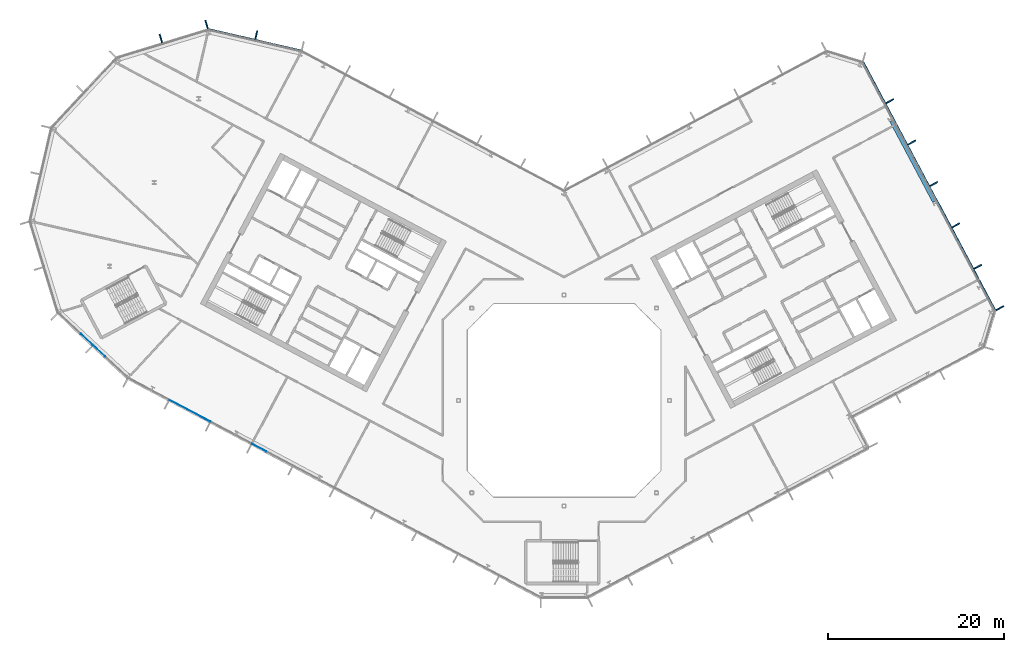
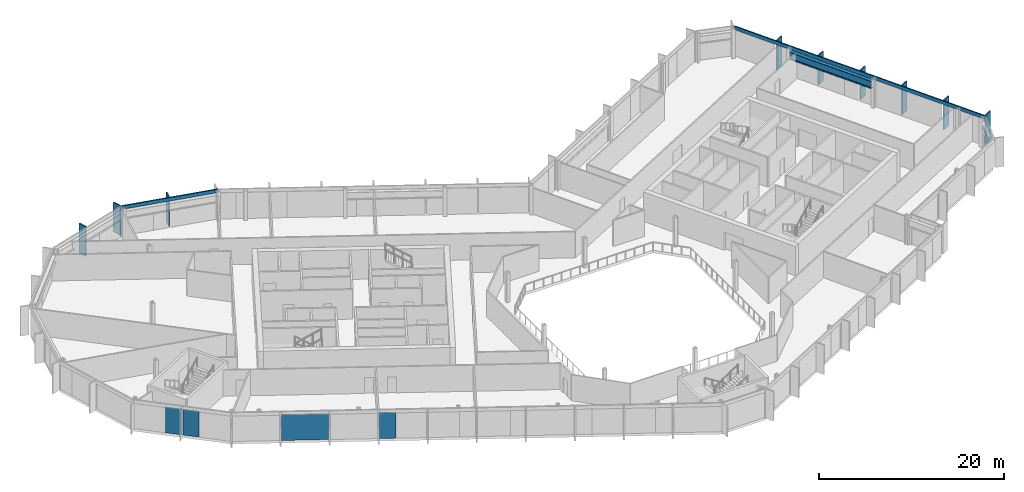
# One storey, part 10 of 26: 11 members, 4 plates, 1 beam, 5 elements without a shape of their own.
"""IFC4 building model written with IfcOpenShell, lengths in metres."""

from ifc_helpers import new_model, si_unit, direction, frame, origin, origin_2d, place, context, subcontext, project, spatial, rectangle, i_section, extrude, material, layer, layer_set, material_profile, profile_set, type_object, element, aggregate, save


model = new_model("IFC4")

# Units and contexts
model_context = context("Model", 3, precision=1e-05, world=origin(), true_north=direction((0.0, 1.0)))
body_context = subcontext(model_context, "Body", "Model", "MODEL_VIEW")
ifc_project = project(units=[si_unit("LENGTHUNIT", "METRE"), si_unit("AREAUNIT", "SQUARE_METRE"), si_unit("VOLUMEUNIT", "CUBIC_METRE"), si_unit("PLANEANGLEUNIT", "RADIAN"), si_unit("MASSUNIT", "GRAM", prefix="KILO")], contexts=[model_context])

# Site, building, storey
site_placement = place(None, origin())
site = spatial("IfcSite", under=ifc_project, at=site_placement, CompositionType="ELEMENT")
building_placement = place(site_placement, origin())
building = spatial("IfcBuilding", under=site, at=building_placement, Name="Cormorant Relay Tower", CompositionType="ELEMENT")
storey_placement = place(building_placement, frame((0.0, 0.0, 248.10009765625)))
storey = spatial("IfcBuildingStorey", under=building, at=storey_placement, Name="L55", CompositionType="ELEMENT", Elevation=248.10009765625)

# Curtain wall, members
ifc_material_1 = material(Name="Aluminium 6063-T6 anodised bronze", Category="aluminium")
ifc_layer_1 = layer(ifc_material_1, 0.199951171875)
ifc_layer_set_1 = layer_set([ifc_layer_1], Name="CW1 unitised bronze curtain wall with vertical fins")
curtain_wall_type = type_object("IfcCurtainWallType", Name="CW1 unitised bronze curtain wall with vertical fins", PredefinedType="NOTDEFINED", material=ifc_layer_set_1)
curtain_wall_1_placement = place(storey_placement, origin())
curtain_wall_1 = element("IfcCurtainWall", 1, at=curtain_wall_1_placement, inside=storey, type_object=curtain_wall_type, Name="CW1 curtain wall 6", PredefinedType="NOTDEFINED")
ifc_material_2 = material(Name="Aluminium 6063-T6 anodised bronze", Category="aluminium")
ifc_material_profile_1 = material_profile(ifc_material_2, rectangle(XDim=0.14990234375, YDim=1.0, at=origin_2d()), Name="AL 150x1000")
ifc_profile_set_1 = profile_set([ifc_material_profile_1], Name="Aluminium 6063-T6 anodised bronze")
member_type_1 = type_object("IfcMemberType", Name="CW1 bronze fin mullion 150 x 1000", PredefinedType="MULLION", material=ifc_profile_set_1)
member_1_placement = place(storey_placement, frame((49.572021484375, 10.501953125, 0.0), z_axis=(0.0, 0.0, 1.0), x_axis=(-0.469471562786, 0.882947592859, 0.0)))
member_1 = element("IfcMember", 2, at=member_1_placement, type_object=member_type_1, Name="CW1 fin 6.1", PredefinedType="MULLION", context=body_context, shape_type="SweptSolid", body=[
    extrude(rectangle(XDim=0.14990234375, YDim=1.0, at=origin_2d()), origin(), (0.0, 0.0, 1.0), 3.89990234375),
])
member_2_placement = place(storey_placement, frame((47.068359375, 15.211181640625, 0.0), z_axis=(0.0, 0.0, 1.0), x_axis=(-0.469471562786, 0.882947592859, 0.0)))
member_2 = element("IfcMember", 3, at=member_2_placement, type_object=member_type_1, Name="CW1 fin 6.2", PredefinedType="MULLION", context=body_context, shape_type="SweptSolid", body=[
    extrude(rectangle(XDim=0.14990234375, YDim=1.0, at=origin_2d()), origin(), (0.0, 0.0, 1.0), 3.89990234375),
])
member_3_placement = place(storey_placement, frame((44.564453125, 19.920166015625, 0.0), z_axis=(0.0, 0.0, 1.0), x_axis=(-0.469471562786, 0.882947592859, 0.0)))
member_3 = element("IfcMember", 4, at=member_3_placement, type_object=member_type_1, Name="CW1 fin 6.3", PredefinedType="MULLION", context=body_context, shape_type="SweptSolid", body=[
    extrude(rectangle(XDim=0.14990234375, YDim=1.0, at=origin_2d()), origin(), (0.0, 0.0, 1.0), 3.89990234375),
])
member_4_placement = place(storey_placement, frame((42.060546875, 24.629150390625, 0.0), z_axis=(0.0, 0.0, 1.0), x_axis=(-0.469471562786, 0.882947592859, 0.0)))
member_4 = element("IfcMember", 5, at=member_4_placement, type_object=member_type_1, Name="CW1 fin 6.4", PredefinedType="MULLION", context=body_context, shape_type="SweptSolid", body=[
    extrude(rectangle(XDim=0.14990234375, YDim=1.0, at=origin_2d()), origin(), (0.0, 0.0, 1.0), 3.89990234375),
])
member_5_placement = place(storey_placement, frame((39.556884765625, 29.338134765625, 0.0), z_axis=(0.0, 0.0, 1.0), x_axis=(-0.469471562786, 0.882947592859, 0.0)))
member_5 = element("IfcMember", 6, at=member_5_placement, type_object=member_type_1, Name="CW1 fin 6.5", PredefinedType="MULLION", context=body_context, shape_type="SweptSolid", body=[
    extrude(rectangle(XDim=0.14990234375, YDim=1.0, at=origin_2d()), origin(), (0.0, 0.0, 1.0), 3.89990234375),
])
member_6_placement = place(storey_placement, frame((37.052978515625, 34.04736328125, 0.0), z_axis=(0.0, 0.0, 1.0), x_axis=(-0.469471562786, 0.882947592859, 0.0)))
member_6 = element("IfcMember", 7, at=member_6_placement, type_object=member_type_1, Name="CW1 fin 6.6", PredefinedType="MULLION", context=body_context, shape_type="SweptSolid", body=[
    extrude(rectangle(XDim=0.14990234375, YDim=1.0, at=origin_2d()), origin(), (0.0, 0.0, 1.0), 3.89990234375),
])

# Curtain wall, member
curtain_wall_2_placement = place(storey_placement, origin())
curtain_wall_2 = element("IfcCurtainWall", 8, at=curtain_wall_2_placement, inside=storey, type_object=curtain_wall_type, Name="CW1 curtain wall 10", PredefinedType="NOTDEFINED")
member_7_placement = place(storey_placement, frame((-35.01220703125, 41.57275390625, 0.0), z_axis=(0.0, 0.0, 1.0), x_axis=(-0.974370064785, 0.224951054344, 0.0)))
member_7 = element("IfcMember", 9, at=member_7_placement, type_object=member_type_1, Name="CW1 fin 10.2", PredefinedType="MULLION", context=body_context, shape_type="SweptSolid", body=[
    extrude(rectangle(XDim=0.14990234375, YDim=1.0, at=origin_2d()), origin(), (0.0, 0.0, 1.0), 3.89990234375),
])

# Curtain wall, members
curtain_wall_3_placement = place(storey_placement, origin())
curtain_wall_3 = element("IfcCurtainWall", 10, at=curtain_wall_3_placement, inside=storey, type_object=curtain_wall_type, Name="CW1 curtain wall 11", PredefinedType="NOTDEFINED")
member_8_placement = place(storey_placement, frame((-40.670166015625, 42.78271484375, 0.0), z_axis=(0.0, 0.0, 1.0), x_axis=(-0.956304755963, -0.292371704723, 0.0)))
member_8 = element("IfcMember", 11, at=member_8_placement, type_object=member_type_1, Name="CW1 fin 11.1", PredefinedType="MULLION", context=body_context, shape_type="SweptSolid", body=[
    extrude(rectangle(XDim=0.14990234375, YDim=1.0, at=origin_2d()), origin(), (0.0, 0.0, 1.0), 3.89990234375),
])
member_9_placement = place(storey_placement, frame((-45.867919921875, 41.193603515625, 0.0), z_axis=(0.0, 0.0, 1.0), x_axis=(-0.956304755963, -0.292371704723, 0.0)))
member_9 = element("IfcMember", 12, at=member_9_placement, type_object=member_type_1, Name="CW1 fin 11.2", PredefinedType="MULLION", context=body_context, shape_type="SweptSolid", body=[
    extrude(rectangle(XDim=0.14990234375, YDim=1.0, at=origin_2d()), origin(), (0.0, 0.0, 1.0), 3.89990234375),
])
aggregate(curtain_wall_3, [member_8, member_9])

# Member
ifc_material_3 = material(Name="Aluminium 6063-T6 anodised bronze", Category="aluminium")
ifc_material_profile_2 = material_profile(ifc_material_3, rectangle(XDim=0.159912109375, YDim=0.449951171875, at=origin_2d()), Name="AL 160x450")
ifc_profile_set_2 = profile_set([ifc_material_profile_2], Name="Aluminium 6063-T6 anodised bronze")
member_type_2 = type_object("IfcMemberType", Name="CW1 bronze transom 160 x 450", PredefinedType="USERDEFINED", material=ifc_profile_set_2)
member_10_placement = place(storey_placement, frame((49.06005859375, 10.229736328125, 3.6748046875), z_axis=(-0.46947036835, 0.882948227951, 0.0), x_axis=(-0.882948227951, -0.46947036835, 0.0)))
member_10 = element("IfcMember", 13, at=member_10_placement, type_object=member_type_2, Name="CW1 transom 6", ObjectType="TRANSOM", PredefinedType="USERDEFINED", context=body_context, shape_type="SweptSolid", body=[
    extrude(rectangle(XDim=0.159912109375, YDim=0.449951171875, at=origin_2d()), origin(), (0.0, 0.0, 1.0), 31.999755859375),
])

aggregate(curtain_wall_1, [member_1, member_2, member_3, member_4, member_5, member_6, member_10])

member_11_placement = place(storey_placement, frame((-29.8466796875, 39.784912109375, 3.6748046875), z_axis=(-0.974365070969, 0.224972683844, 0.0), x_axis=(-0.224972683844, -0.974365070969, 0.0)))
member_11 = element("IfcMember", 14, at=member_11_placement, type_object=member_type_2, Name="CW1 transom 10", ObjectType="TRANSOM", PredefinedType="USERDEFINED", context=body_context, shape_type="SweptSolid", body=[
    extrude(rectangle(XDim=0.159912109375, YDim=0.449951171875, at=origin_2d()), origin(), (0.0, 0.0, 1.0), 10.870361328125),
])

aggregate(curtain_wall_2, [member_7, member_11])

# Beam
ifc_material_4 = material(Name="Steel ASTM A992 (Fy 345 MPa)", Category="steel")
ifc_material_profile_3 = material_profile(ifc_material_4, i_section(OverallWidth=0.4013671875, OverallDepth=0.990478515625, WebThickness=0.0166015625, FlangeThickness=0.031005859375, FilletRadius=0.030029296875, at=origin_2d()), Name="W1000x320")
ifc_profile_set_3 = profile_set([ifc_material_profile_3], Name="Steel ASTM A992 (Fy 345 MPa)")
beam_type = type_object("IfcBeamType", Name="Spandrel W1000x320", PredefinedType="SPANDREL", material=ifc_profile_set_3)
beam_placement = place(storey_placement, frame((42.109619140625, 22.61865234375, 2.95458984375), z_axis=(-0.469476269233, 0.882945090381, 0.0), x_axis=(-0.882945090381, -0.469476269233, 0.0)))
element("IfcBeam", 15, at=beam_placement, inside=storey, type_object=beam_type, Name="Spandrel beam L55-006", PredefinedType="SPANDREL", context=body_context, shape_type="SweptSolid", body=[
    extrude(i_section(OverallWidth=0.4013671875, OverallDepth=0.990478515625, WebThickness=0.0166015625, FlangeThickness=0.031005859375, FilletRadius=0.030029296875, at=origin_2d()), origin(), (0.0, 0.0, 1.0), 10.396484375),
])

# Curtain wall, plates
curtain_wall_4_placement = place(storey_placement, origin())
curtain_wall_4 = element("IfcCurtainWall", 16, at=curtain_wall_4_placement, inside=storey, type_object=curtain_wall_type, Name="CW1 curtain wall 15", PredefinedType="NOTDEFINED")
ifc_material_5 = material(Name="Tinted laminated glass", Category="glass")
ifc_layer_2 = layer(ifc_material_5, 0.0400390625)
ifc_layer_set_2 = layer_set([ifc_layer_2], Name="CW1 tinted vision panel 1800 module")
plate_type_1 = type_object("IfcPlateType", Name="CW1 tinted vision panel 1800 module", PredefinedType="CURTAIN_PANEL", material=ifc_layer_set_2)
plate_1_placement = place(storey_placement, frame((-54.293212890625, 6.94140625, 0.0), z_axis=(0.0, 0.0, 1.0), x_axis=(0.731353701619, -0.681998360062, 0.0)))
plate_1 = element("IfcPlate", 17, at=plate_1_placement, type_object=plate_type_1, Name="CW1 panel V01", PredefinedType="CURTAIN_PANEL", context=body_context, shape_type="SweptSolid", body=[
    extrude(rectangle(XDim=1.800048828125, YDim=0.0400390625, at=origin_2d()), origin(), (0.0, 0.0, 1.0), 3.449951171875),
])
plate_2_placement = place(storey_placement, frame((-52.8671875, 5.611572265625, 0.0), z_axis=(0.0, 0.0, 1.0), x_axis=(0.731353701619, -0.681998360062, 0.0)))
plate_2 = element("IfcPlate", 18, at=plate_2_placement, type_object=plate_type_1, Name="CW1 panel V02", PredefinedType="CURTAIN_PANEL", context=body_context, shape_type="SweptSolid", body=[
    extrude(rectangle(XDim=1.800048828125, YDim=0.0400390625, at=origin_2d()), origin(), (0.0, 0.0, 1.0), 3.449951171875),
])
aggregate(curtain_wall_4, [plate_1, plate_2])

curtain_wall_5_placement = place(storey_placement, origin())
curtain_wall_5 = element("IfcCurtainWall", 19, at=curtain_wall_5_placement, inside=storey, type_object=curtain_wall_type, Name="CW1 curtain wall 16", PredefinedType="NOTDEFINED")
plate_3_placement = place(storey_placement, frame((-34.6572265625, -5.37890625, 0.0), z_axis=(0.0, 0.0, 1.0), x_axis=(0.882947592859, -0.469471562786, 0.0)))
plate_3 = element("IfcPlate", 20, at=plate_3_placement, type_object=plate_type_1, Name="CW1 panel V03", PredefinedType="CURTAIN_PANEL", context=body_context, shape_type="SweptSolid", body=[
    extrude(rectangle(XDim=1.800048828125, YDim=0.0400390625, at=origin_2d()), origin(), (0.0, 0.0, 1.0), 3.449951171875),
])
ifc_material_6 = material(Name="Tinted laminated glass", Category="glass")
ifc_layer_3 = layer(ifc_material_6, 0.0400390625)
ifc_layer_set_3 = layer_set([ifc_layer_3], Name="CW1 tinted vision panel 5400 module")
plate_type_2 = type_object("IfcPlateType", Name="CW1 tinted vision panel 5400 module", PredefinedType="CURTAIN_PANEL", material=ifc_layer_set_3)
plate_4_placement = place(storey_placement, frame((-42.5595703125, -1.17724609375, 0.0), z_axis=(0.0, 0.0, 1.0), x_axis=(0.882947592859, -0.469471562786, 0.0)))
plate_4 = element("IfcPlate", 21, at=plate_4_placement, type_object=plate_type_2, Name="CW1 panel V01", PredefinedType="CURTAIN_PANEL", context=body_context, shape_type="SweptSolid", body=[
    extrude(rectangle(XDim=5.16650390625, YDim=0.0400390625, at=origin_2d()), origin(), (0.0, 0.0, 1.0), 3.449951171875),
])
aggregate(curtain_wall_5, [plate_4, plate_3])

save(model, "model.ifc")
